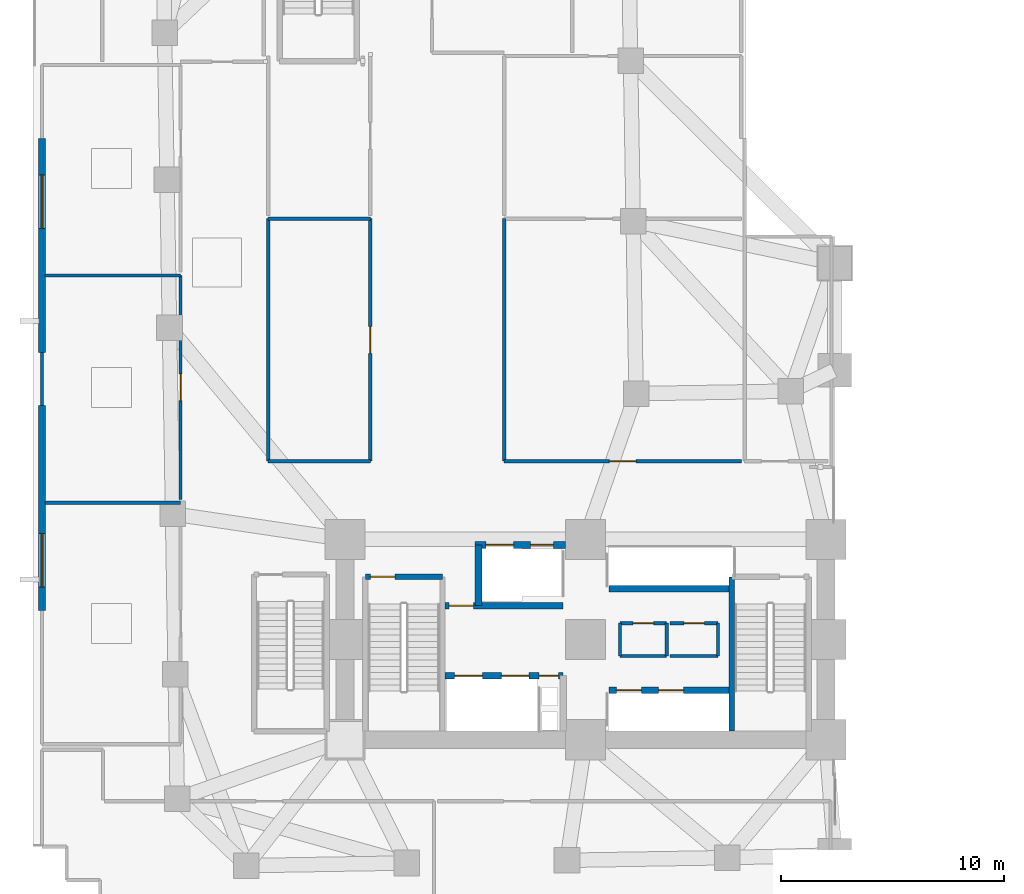
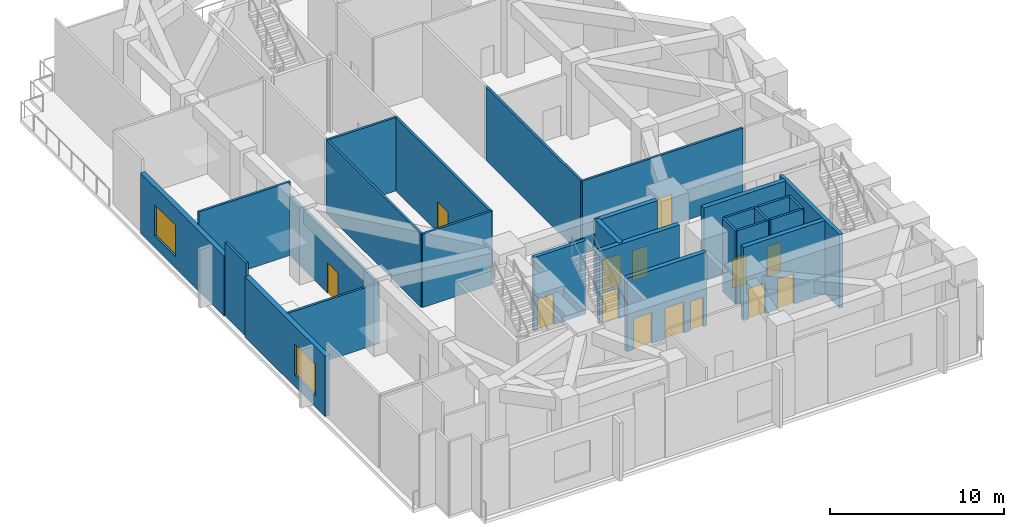
# One storey, part 8 of 18: 27 walls, 14 doors, 2 windows, 16 openings.
"""IFC4 building model written with IfcOpenShell, lengths in metres."""

import ifcopenshell
import ifcopenshell.guid

model = None  # the IFC model being written
_history = None  # IfcOwnerHistory: only IFC2X3 demands one
_inside = {}  # id of a spatial element -> (the spatial element, [elements in it])
_under = {}  # id of a project, library or spatial element -> (it, [spatial elements below it])
_declared = {}  # id of a project -> (the project, [libraries it declares])
_typed = {}  # id of a type object -> (the type object, [elements of that type])
_made_of = {}  # id of a material, layer set ... -> (it, [elements and type objects made of it])


def new_model(schema):
    """Start an empty IFC model of exactly this schema.

    Asked for "IFC4X3", IfcOpenShell would pick the latest addendum, in which some entities
    have other attributes; the version numbers below select the first issue.
    IFC2X3 requires an IfcOwnerHistory on every rooted entity: one is made here for all.
    """
    global model, _history
    if schema == "IFC4X3":
        model = ifcopenshell.file(schema_version=(4, 3, 0, 0))
    else:
        model = ifcopenshell.file(schema=schema)
    _inside.clear()
    _under.clear()
    _declared.clear()
    _typed.clear()
    _made_of.clear()
    _history = None
    if model.schema == "IFC2X3":
        org = make("IfcOrganization", Name="unknown")
        user = make(
            "IfcPersonAndOrganization",
            ThePerson=make("IfcPerson", FamilyName="unknown"),
            TheOrganization=org,
        )
        app = make(
            "IfcApplication",
            ApplicationDeveloper=org,
            Version="unknown",
            ApplicationFullName="unknown",
            ApplicationIdentifier="unknown",
        )
        _history = make(
            "IfcOwnerHistory",
            OwningUser=user,
            OwningApplication=app,
            ChangeAction="ADDED",
            CreationDate=0,
        )
    return model


def make(cls, **values):
    """One entity of the class cls with the attributes given. An attribute that is None is left unset."""
    return model.create_entity(
        cls, **{name: value for name, value in values.items() if value is not None}
    )


def rooted(cls, **values):
    """An entity with a GlobalId (a new one), such as an element, a storey or a relation."""
    return make(cls, GlobalId=ifcopenshell.guid.new(), OwnerHistory=_history, **values)


def si_unit(unit_type, name, prefix=None):
    """IfcSIUnit, for example si_unit("LENGTHUNIT", "METRE", prefix="MILLI")."""
    return make("IfcSIUnit", UnitType=unit_type, Prefix=prefix, Name=name)


def assignment(units):
    """IfcUnitAssignment: the units of a project."""
    return None if units is None else make("IfcUnitAssignment", Units=units)


def point(xyz):
    """IfcCartesianPoint."""
    return None if xyz is None else make("IfcCartesianPoint", Coordinates=xyz)


def direction(xyz):
    """IfcDirection."""
    return None if xyz is None else make("IfcDirection", DirectionRatios=xyz)


def frame(location, z_axis=None, x_axis=None):
    """IfcAxis2Placement3D, a coordinate frame: its origin and axes. An axis left out is left unset."""
    return make(
        "IfcAxis2Placement3D",
        Location=point(location),
        Axis=direction(z_axis),
        RefDirection=direction(x_axis),
    )


def frame_2d(location, x_axis=None):
    """IfcAxis2Placement2D, a coordinate frame in the plane: its origin and x axis."""
    return make(
        "IfcAxis2Placement2D", Location=point(location), RefDirection=direction(x_axis)
    )


def origin():
    """The frame at (0, 0, 0) with its axes left unset."""
    return frame((0.0, 0.0, 0.0))


def place(relative_to, where):
    """IfcLocalPlacement: puts the frame where relative to a parent placement (None: the world)."""
    return make(
        "IfcLocalPlacement", PlacementRelTo=relative_to, RelativePlacement=where
    )


def context(
    kind, dimensions, precision=None, world=None, true_north=None, identifier=None
):
    """IfcGeometricRepresentationContext, for example the 3D "Model" context."""
    return make(
        "IfcGeometricRepresentationContext",
        ContextIdentifier=identifier,
        ContextType=kind,
        CoordinateSpaceDimension=dimensions,
        Precision=precision,
        WorldCoordinateSystem=world,
        TrueNorth=true_north,
    )


def subcontext(parent, identifier, kind, view, scale=None):
    """IfcGeometricRepresentationSubContext, for example "Body" below "Model"."""
    return make(
        "IfcGeometricRepresentationSubContext",
        ContextIdentifier=identifier,
        ContextType=kind,
        ParentContext=parent,
        TargetScale=scale,
        TargetView=view,
    )


def project(units=None, contexts=None):
    """IfcProject with its units and contexts."""
    return rooted(
        "IfcProject",
        Name="project",
        RepresentationContexts=contexts,
        UnitsInContext=assignment(units),
    )


def spatial(cls, under=None, at=None, **own):
    """A site, building, storey or space (cls), placed at a placement, below another one or the project."""
    s = rooted(cls, ObjectPlacement=at, **own)
    if under is not None:
        _under.setdefault(under.id(), (under, []))[1].append(s)
    return s


def profile(cls, at=None, kind="AREA", **sizes):
    """A parametric profile (cls). Its sizes go by their IFC names, for example OverallWidth=200.0."""
    return make(cls, ProfileType=kind, Position=at, **sizes)


def rectangle(**sizes):
    """IfcRectangleProfileDef."""
    return profile("IfcRectangleProfileDef", **sizes)


def extrude(swept, where, along, depth):
    """IfcExtrudedAreaSolid: the profile swept, set in the frame where, extruded along a direction by depth."""
    return make(
        "IfcExtrudedAreaSolid",
        SweptArea=swept,
        Position=where,
        ExtrudedDirection=direction(along),
        Depth=depth,
    )


def shape(context_of_items, identifier, shape_type, items):
    """IfcShapeRepresentation: the items that make up one representation, for example the "Body"."""
    return make(
        "IfcShapeRepresentation",
        ContextOfItems=context_of_items,
        RepresentationIdentifier=identifier,
        RepresentationType=shape_type,
        Items=items,
    )


def material(Name=None, Category=None):
    """IfcMaterial."""
    return make("IfcMaterial", Name=Name, Category=Category)


def layer(
    of_material, thickness, ventilated=None, Name=None, Category=None, Priority=None
):
    """IfcMaterialLayer: one layer of a wall or slab, of a material (None: an air gap)."""
    return make(
        "IfcMaterialLayer",
        Material=of_material,
        LayerThickness=thickness,
        IsVentilated=ventilated,
        Name=Name,
        Category=Category,
        Priority=Priority,
    )


def layer_set(layers, Name=None):
    """IfcMaterialLayerSet."""
    return make("IfcMaterialLayerSet", MaterialLayers=layers, LayerSetName=Name)


def made_of(thing, what):
    """Note that an element or type object is made of a material, layer set ...; save() writes the relation."""
    if what is not None:
        _made_of.setdefault(what.id(), (what, []))[1].append(thing)
    return thing


def type_object(cls, material=None, **own):
    """A type object (cls), such as IfcWallType, which elements share."""
    return made_of(rooted(cls, **own), material)


def element(
    cls,
    number,
    at=None,
    inside=None,
    cuts=None,
    type_object=None,
    material=None,
    context=None,
    identifier="Body",
    shape_type=None,
    held_by="IfcProductDefinitionShape",
    body=None,
    shapes=None,
    **own,
):
    """One element of the class cls, such as IfcWall. Its Tag is "e" and its number.

    at: its placement. inside: the storey or other place that contains it. cuts: it is an
    opening in that element (IfcRelVoidsElement). A single representation is given by context,
    identifier, shape_type and body (its items); several are given by shapes. held_by: the class
    of the entity that holds the representations. save() writes the other relations.
    """
    e = rooted(cls, Tag="e%d" % number, ObjectPlacement=at, **own)
    if body is not None:
        shapes = [shape(context, identifier, shape_type, body)]
    if shapes is not None:
        e.Representation = make(held_by, Representations=shapes)
    if inside is not None:
        _inside.setdefault(inside.id(), (inside, []))[1].append(e)
    if cuts is not None:
        rooted(
            "IfcRelVoidsElement", RelatingBuildingElement=cuts, RelatedOpeningElement=e
        )
    if type_object is not None:
        _typed.setdefault(type_object.id(), (type_object, []))[1].append(e)
    return made_of(e, material)


def fill(opening, filler):
    """IfcRelFillsElement: the door or window that sits in an opening."""
    return rooted(
        "IfcRelFillsElement",
        RelatingOpeningElement=opening,
        RelatedBuildingElement=filler,
    )


def aggregate(whole, parts):
    """IfcRelAggregates: a whole, such as a stair, and the parts it consists of."""
    return rooted("IfcRelAggregates", RelatingObject=whole, RelatedObjects=parts)


def save(model, path):
    """Write the relations noted so far, then the file.

    IfcRelAggregates (storeys below a building ...), IfcRelContainedInSpatialStructure (elements
    in a storey), IfcRelDefinesByType, IfcRelAssociatesMaterial and IfcRelDeclares: one each for
    every whole, place, type object, material and project.
    """
    for whole, parts in _under.values():
        aggregate(whole, parts)
    for where, things in _inside.values():
        rooted(
            "IfcRelContainedInSpatialStructure",
            RelatedElements=things,
            RelatingStructure=where,
        )
    for kind, things in _typed.values():
        rooted("IfcRelDefinesByType", RelatedObjects=things, RelatingType=kind)
    for what, things in _made_of.values():
        rooted("IfcRelAssociatesMaterial", RelatedObjects=things, RelatingMaterial=what)
    for by, libraries in _declared.values():
        rooted("IfcRelDeclares", RelatingContext=by, RelatedDefinitions=libraries)
    model.write(path)


model = new_model("IFC4")

# Units and contexts
model_context = context("Model", 3, precision=1e-05, world=origin(), true_north=direction((0.0, 1.0)))
body_context = subcontext(model_context, "Body", "Model", "MODEL_VIEW")
ifc_project = project(units=[si_unit("LENGTHUNIT", "METRE"), si_unit("AREAUNIT", "SQUARE_METRE"), si_unit("VOLUMEUNIT", "CUBIC_METRE"), si_unit("PLANEANGLEUNIT", "RADIAN"), si_unit("MASSUNIT", "GRAM", prefix="KILO")], contexts=[model_context])

# Site, building, storey
site_placement = place(None, origin())
site = spatial("IfcSite", under=ifc_project, at=site_placement, CompositionType="ELEMENT")
building_placement = place(site_placement, origin())
building = spatial("IfcBuilding", under=site, at=building_placement, Name="Gaonmaruhae Medical Tower", CompositionType="ELEMENT")
storey_placement = place(building_placement, frame((0.0, 0.0, 10.800048828125)))
storey = spatial("IfcBuildingStorey", under=building, at=storey_placement, Name="L02", CompositionType="ELEMENT", Elevation=10.800048828125)

# Wall, opening, window
ifc_material_1 = material(Name="Precast concrete C45/55", Category="concrete")
ifc_layer_1 = layer(ifc_material_1, 0.320068359375)
ifc_layer_set_1 = layer_set([ifc_layer_1], Name="Precast concrete C45/55")
wall_type_1 = type_object("IfcWallType", Name="EW-320 Lower Precast Masonry-Frame Facade Wall", PredefinedType="SOLIDWALL", material=ifc_layer_set_1)
wall_1_placement = place(storey_placement, frame((0.39990234375, 13.60009765625, 0.0), z_axis=(0.0, 0.0, 1.0), x_axis=(0.0, 1.0, 0.0)))
wall_1 = element("IfcWall", 1, at=wall_1_placement, inside=storey, type_object=wall_type_1, Name="L02 Precast Facade Wall PB-W1", PredefinedType="SOLIDWALL", context=body_context, shape_type="SweptSolid", body=[
    extrude(rectangle(XDim=9.199951171875, YDim=0.320068359375, at=frame_2d((4.60009765625, 0.0))), origin(), (0.0, 0.0, 1.0), 4.22998046875),
])
opening_1_placement = place(wall_1_placement, frame((1.06005859375, 0.0, 0.800048828125)))
opening_1 = element("IfcOpeningElement", 2, at=opening_1_placement, cuts=wall_1, Name="Opening WN-06", PredefinedType="OPENING", context=body_context, shape_type="SweptSolid", body=[
    extrude(rectangle(XDim=2.39990234375, YDim=2.199951171875, at=frame_2d((1.199951171875, 1.10009765625))), frame((0.0, 0.169921875, 0.0), z_axis=(0.0, -1.0, 0.0), x_axis=(1.0, 0.0, 0.0)), (0.0, 0.0, 1.0), 0.340087890625),
])
ifc_material_2 = material(Name="Anodised aluminium and Low-E double glazing", Category="aluminium")
window_type = type_object("IfcWindowType", Name="WN-06 Podium Diagnostic Punched Window 2400x2200", PartitioningType="SINGLE_PANEL", PredefinedType="WINDOW", material=ifc_material_2)
window_1_placement = place(opening_1_placement, origin())
window_1 = element("IfcWindow", 3, at=window_1_placement, inside=storey, type_object=window_type, Name="L02 Podium Punched Window PB-W1", OverallHeight=2.199951171875, OverallWidth=2.39990234375, PartitioningType="SINGLE_PANEL", PredefinedType="WINDOW", context=body_context, shape_type="SweptSolid", body=[
    extrude(rectangle(XDim=2.39990234375, YDim=2.199951171875, at=frame_2d((1.199951171875, 1.10009765625))), frame((0.0, 0.030029296875, 0.0), z_axis=(0.0, -1.0, 0.0), x_axis=(1.0, 0.0, 0.0)), (0.0, 0.0, 1.0), 0.06005859375),
])
fill(opening_1, window_1)

wall_2_placement = place(storey_placement, frame((0.39990234375, 25.199951171875, 0.0), z_axis=(0.0, 0.0, 1.0), x_axis=(0.0, 1.0, 0.0)))
wall_2 = element("IfcWall", 4, at=wall_2_placement, inside=storey, type_object=wall_type_1, Name="L02 Precast Facade Wall PB-W2", PredefinedType="SOLIDWALL", context=body_context, shape_type="SweptSolid", body=[
    extrude(rectangle(XDim=9.60009765625, YDim=0.320068359375, at=frame_2d((4.800048828125, 0.0))), origin(), (0.0, 0.0, 1.0), 4.22998046875),
])
opening_2_placement = place(wall_2_placement, frame((5.56494140625, 0.0, 0.800048828125)))
opening_2 = element("IfcOpeningElement", 5, at=opening_2_placement, cuts=wall_2, Name="Opening WN-06", PredefinedType="OPENING", context=body_context, shape_type="SweptSolid", body=[
    extrude(rectangle(XDim=2.39990234375, YDim=2.199951171875, at=frame_2d((1.199951171875, 1.10009765625))), frame((0.0, 0.169921875, 0.0), z_axis=(0.0, -1.0, 0.0), x_axis=(1.0, 0.0, 0.0)), (0.0, 0.0, 1.0), 0.340087890625),
])
window_2_placement = place(opening_2_placement, origin())
window_2 = element("IfcWindow", 6, at=window_2_placement, inside=storey, type_object=window_type, Name="L02 Podium Punched Window PB-W2", OverallHeight=2.199951171875, OverallWidth=2.39990234375, PartitioningType="SINGLE_PANEL", PredefinedType="WINDOW", context=body_context, shape_type="SweptSolid", body=[
    extrude(rectangle(XDim=2.39990234375, YDim=2.199951171875, at=frame_2d((1.199951171875, 1.10009765625))), frame((0.0, 0.030029296875, 0.0), z_axis=(0.0, -1.0, 0.0), x_axis=(1.0, 0.0, 0.0)), (0.0, 0.0, 1.0), 0.06005859375),
])
fill(opening_2, window_2)

# Wall
ifc_material_3 = material(Name="Gypsum board partition", Category="gypsum")
ifc_layer_2 = layer(ifc_material_3, 0.14990234375)
ifc_layer_set_2 = layer_set([ifc_layer_2], Name="Gypsum board partition")
wall_type_2 = type_object("IfcWallType", Name="PW-150 Rated Clinical Corridor Partition", PredefinedType="PARTITIONING", material=ifc_layer_set_2)
wall_3_placement = place(storey_placement, frame((26.35009765625, 11.56005859375, 0.0), z_axis=(0.0, 0.0, 1.0), x_axis=(0.0, 1.0, 0.0)))
element("IfcWall", 7, at=wall_3_placement, inside=storey, type_object=wall_type_2, Name="L02 Interior Partition L02-CS1-1", PredefinedType="PARTITIONING", context=body_context, shape_type="SweptSolid", body=[
    extrude(rectangle(XDim=1.47998046875, YDim=0.14990234375, at=frame_2d((0.739990234375, 0.0))), origin(), (0.0, 0.0, 1.0), 5.14990234375),
])

# Wall, opening, door
wall_4_placement = place(storey_placement, frame((26.35009765625, 13.0400390625, 0.0), z_axis=(0.0, 0.0, 1.0), x_axis=(1.0, 0.0, 0.0)))
wall_4 = element("IfcWall", 8, at=wall_4_placement, inside=storey, type_object=wall_type_2, Name="L02 Interior Partition L02-CS1-2", PredefinedType="PARTITIONING", context=body_context, shape_type="SweptSolid", body=[
    extrude(rectangle(XDim=2.099853515625, YDim=0.14990234375, at=frame_2d((1.0498046875, 0.0))), origin(), (0.0, 0.0, 1.0), 5.14990234375),
])
opening_3_placement = place(wall_4_placement, frame((0.590087890625, 0.0, 0.0)))
opening_3 = element("IfcOpeningElement", 9, at=opening_3_placement, cuts=wall_4, Name="Opening UD-01", PredefinedType="OPENING", context=body_context, shape_type="SweptSolid", body=[
    extrude(rectangle(XDim=0.919921875, YDim=2.10009765625, at=frame_2d((0.4599609375, 1.050048828125))), frame((0.0, 0.0849609375, 0.0), z_axis=(0.0, -1.0, 0.0), x_axis=(1.0, 0.0, 0.0)), (0.0, 0.0, 1.0), 0.169921875),
])
ifc_material_4 = material(Name="Powder-coated steel utility door", Category="steel")
door_type_1 = type_object("IfcDoorType", Name="UD-01 Toilet, Utility & Housekeeping Door 920x2100", OperationType="NOTDEFINED", PredefinedType="DOOR", material=ifc_material_4)
door_1_placement = place(opening_3_placement, origin())
door_1 = element("IfcDoor", 10, at=door_1_placement, inside=storey, type_object=door_type_1, Name="L02 Accessible Staff Toilet Door", OperationType="SINGLE_SWING_RIGHT", OverallHeight=2.10009765625, OverallWidth=0.919921875, PredefinedType="DOOR", context=body_context, shape_type="SweptSolid", body=[
    extrude(rectangle(XDim=0.919921875, YDim=2.10009765625, at=frame_2d((0.4599609375, 1.050048828125))), frame((0.0, 0.02490234375, 0.0), z_axis=(0.0, -1.0, 0.0), x_axis=(1.0, 0.0, 0.0)), (0.0, 0.0, 1.0), 0.050048828125),
])
fill(opening_3, door_1)

# Walls
wall_5_placement = place(storey_placement, frame((28.449951171875, 13.0400390625, 0.0), z_axis=(0.0, 0.0, 1.0), x_axis=(0.0, -1.0, 0.0)))
element("IfcWall", 11, at=wall_5_placement, inside=storey, type_object=wall_type_2, Name="L02 Interior Partition L02-CS1-3", PredefinedType="PARTITIONING", context=body_context, shape_type="SweptSolid", body=[
    extrude(rectangle(XDim=1.47998046875, YDim=0.14990234375, at=frame_2d((0.739990234375, 0.0))), origin(), (0.0, 0.0, 1.0), 5.14990234375),
])
wall_6_placement = place(storey_placement, frame((28.449951171875, 11.56005859375, 0.0), z_axis=(0.0, 0.0, 1.0), x_axis=(-1.0, 0.0, 0.0)))
element("IfcWall", 12, at=wall_6_placement, inside=storey, type_object=wall_type_2, Name="L02 Interior Partition L02-CS1-4", PredefinedType="PARTITIONING", context=body_context, shape_type="SweptSolid", body=[
    extrude(rectangle(XDim=2.099853515625, YDim=0.14990234375, at=frame_2d((1.0498046875, 0.0))), origin(), (0.0, 0.0, 1.0), 5.14990234375),
])

# Wall, opening, door
wall_7_placement = place(storey_placement, frame((28.60009765625, 13.0400390625, 0.0), z_axis=(0.0, 0.0, 1.0), x_axis=(1.0, 0.0, 0.0)))
wall_7 = element("IfcWall", 13, at=wall_7_placement, inside=storey, type_object=wall_type_2, Name="L02 Interior Partition L02-CS2-5", PredefinedType="PARTITIONING", context=body_context, shape_type="SweptSolid", body=[
    extrude(rectangle(XDim=2.14990234375, YDim=0.14990234375, at=frame_2d((1.074951171875, 0.0))), origin(), (0.0, 0.0, 1.0), 5.14990234375),
])
opening_4_placement = place(wall_7_placement, frame((0.614990234375, 0.0, 0.0)))
opening_4 = element("IfcOpeningElement", 14, at=opening_4_placement, cuts=wall_7, Name="Opening UD-01", PredefinedType="OPENING", context=body_context, shape_type="SweptSolid", body=[
    extrude(rectangle(XDim=0.919921875, YDim=2.10009765625, at=frame_2d((0.4599609375, 1.050048828125))), frame((0.0, 0.0849609375, 0.0), z_axis=(0.0, -1.0, 0.0), x_axis=(1.0, 0.0, 0.0)), (0.0, 0.0, 1.0), 0.169921875),
])
door_2_placement = place(opening_4_placement, origin())
door_2 = element("IfcDoor", 15, at=door_2_placement, inside=storey, type_object=door_type_1, Name="L02 Biomedical Telemetry Closet Door", OperationType="SINGLE_SWING_RIGHT", OverallHeight=2.10009765625, OverallWidth=0.919921875, PredefinedType="DOOR", context=body_context, shape_type="SweptSolid", body=[
    extrude(rectangle(XDim=0.919921875, YDim=2.10009765625, at=frame_2d((0.4599609375, 1.050048828125))), frame((0.0, 0.02490234375, 0.0), z_axis=(0.0, -1.0, 0.0), x_axis=(1.0, 0.0, 0.0)), (0.0, 0.0, 1.0), 0.050048828125),
])
fill(opening_4, door_2)

# Walls
wall_8_placement = place(storey_placement, frame((30.75, 13.0400390625, 0.0), z_axis=(0.0, 0.0, 1.0), x_axis=(0.0, -1.0, 0.0)))
element("IfcWall", 16, at=wall_8_placement, inside=storey, type_object=wall_type_2, Name="L02 Interior Partition L02-CS2-6", PredefinedType="PARTITIONING", context=body_context, shape_type="SweptSolid", body=[
    extrude(rectangle(XDim=1.47998046875, YDim=0.14990234375, at=frame_2d((0.739990234375, 0.0))), origin(), (0.0, 0.0, 1.0), 5.14990234375),
])
wall_9_placement = place(storey_placement, frame((30.75, 11.56005859375, 0.0), z_axis=(0.0, 0.0, 1.0), x_axis=(-1.0, 0.0, 0.0)))
element("IfcWall", 17, at=wall_9_placement, inside=storey, type_object=wall_type_2, Name="L02 Interior Partition L02-CS2-7", PredefinedType="PARTITIONING", context=body_context, shape_type="SweptSolid", body=[
    extrude(rectangle(XDim=2.14990234375, YDim=0.14990234375, at=frame_2d((1.074951171875, 0.0))), origin(), (0.0, 0.0, 1.0), 5.14990234375),
])
wall_10_placement = place(storey_placement, frame((0.534912109375, 18.449951171875, 0.0), z_axis=(0.0, 0.0, 1.0), x_axis=(1.0, 0.0, 0.0)))
element("IfcWall", 18, at=wall_10_placement, inside=storey, type_object=wall_type_2, Name="L02 Interior Partition L02-WP1-8", PredefinedType="PARTITIONING", context=body_context, shape_type="SweptSolid", body=[
    extrude(rectangle(XDim=6.085205078125, YDim=0.14990234375, at=frame_2d((3.04248046875, 0.0))), origin(), (0.0, 0.0, 1.0), 4.23486328125),
])
wall_11_placement = place(storey_placement, frame((0.534912109375, 28.64990234375, 0.0), z_axis=(0.0, 0.0, 1.0), x_axis=(1.0, 0.0, 0.0)))
element("IfcWall", 19, at=wall_11_placement, inside=storey, type_object=wall_type_2, Name="L02 Interior Partition L02-WP2-12", PredefinedType="PARTITIONING", context=body_context, shape_type="SweptSolid", body=[
    extrude(rectangle(XDim=6.085205078125, YDim=0.14990234375, at=frame_2d((3.04248046875, 0.0))), origin(), (0.0, 0.0, 1.0), 5.14990234375),
])

# Wall, opening, door
wall_12_placement = place(storey_placement, frame((6.6201171875, 28.64990234375, 0.0), z_axis=(0.0, 0.0, 1.0), x_axis=(0.0, -1.0, 0.0)))
wall_12 = element("IfcWall", 20, at=wall_12_placement, inside=storey, type_object=wall_type_2, Name="L02 Interior Partition L02-WP2-13", PredefinedType="PARTITIONING", context=body_context, shape_type="SweptSolid", body=[
    extrude(rectangle(XDim=10.0498046875, YDim=0.14990234375, at=frame_2d((5.02490234375, 0.0))), origin(), (0.0, 0.0, 1.0), 4.23486328125),
])
opening_5_placement = place(wall_12_placement, frame((4.425048828125, 0.0, 0.0)))
opening_5 = element("IfcOpeningElement", 21, at=opening_5_placement, cuts=wall_12, Name="Opening CD-02", PredefinedType="OPENING", context=body_context, shape_type="SweptSolid", body=[
    extrude(rectangle(XDim=1.199951171875, YDim=2.14990234375, at=frame_2d((0.60009765625, 1.074951171875))), frame((0.0, 0.0849609375, 0.0), z_axis=(0.0, -1.0, 0.0), x_axis=(1.0, 0.0, 0.0)), (0.0, 0.0, 1.0), 0.169921875),
])
ifc_material_5 = material(Name="Antimicrobial laminate timber fire door", Category="wood")
door_type_2 = type_object("IfcDoorType", Name="CD-02 Clinical Treatment & Procedure Door 1200x2150", OperationType="NOTDEFINED", PredefinedType="DOOR", material=ifc_material_5)
door_3_placement = place(opening_5_placement, origin())
door_3 = element("IfcDoor", 22, at=door_3_placement, inside=storey, type_object=door_type_2, Name="L02 L02 Outpatient Consultation Clinic B Door", OperationType="SINGLE_SWING_LEFT", OverallHeight=2.14990234375, OverallWidth=1.199951171875, PredefinedType="DOOR", context=body_context, shape_type="SweptSolid", body=[
    extrude(rectangle(XDim=1.199951171875, YDim=2.14990234375, at=frame_2d((0.60009765625, 1.074951171875))), frame((0.0, 0.02490234375, 0.0), z_axis=(0.0, -1.0, 0.0), x_axis=(1.0, 0.0, 0.0)), (0.0, 0.0, 1.0), 0.050048828125),
])
fill(opening_5, door_3)

# Walls
wall_13_placement = place(storey_placement, frame((0.39990234375, 22.800048828125, 0.0), z_axis=(0.0, 0.0, 1.0), x_axis=(0.0, 1.0, 0.0)))
element("IfcWall", 23, at=wall_13_placement, inside=storey, type_object=wall_type_2, Name="L02 Interior Partition L02-WP2-14", PredefinedType="PARTITIONING", context=body_context, shape_type="SweptSolid", body=[
    extrude(rectangle(XDim=2.39990234375, YDim=0.14990234375, at=frame_2d((1.199951171875, 0.0))), origin(), (0.0, 0.0, 1.0), 5.14990234375),
])
wall_14_placement = place(storey_placement, frame((10.550048828125, 20.31005859375, 0.0), z_axis=(0.0, 0.0, 1.0), x_axis=(0.0, 1.0, 0.0)))
element("IfcWall", 24, at=wall_14_placement, inside=storey, type_object=wall_type_2, Name="L02 Interior Partition L02-D3-55", PredefinedType="PARTITIONING", context=body_context, shape_type="SweptSolid", body=[
    extrude(rectangle(XDim=10.889892578125, YDim=0.14990234375, at=frame_2d((5.44482421875, 0.0))), origin(), (0.0, 0.0, 1.0), 5.14990234375),
])
wall_15_placement = place(storey_placement, frame((10.550048828125, 31.199951171875, 0.0), z_axis=(0.0, 0.0, 1.0), x_axis=(1.0, 0.0, 0.0)))
element("IfcWall", 25, at=wall_15_placement, inside=storey, type_object=wall_type_2, Name="L02 Interior Partition L02-D3-56", PredefinedType="PARTITIONING", context=body_context, shape_type="SweptSolid", body=[
    extrude(rectangle(XDim=4.58984375, YDim=0.14990234375, at=frame_2d((2.294921875, 0.0))), origin(), (0.0, 0.0, 1.0), 5.14990234375),
])

# Wall, opening, door
wall_16_placement = place(storey_placement, frame((15.139892578125, 31.199951171875, 0.0), z_axis=(0.0, 0.0, 1.0), x_axis=(0.0, -1.0, 0.0)))
wall_16 = element("IfcWall", 26, at=wall_16_placement, inside=storey, type_object=wall_type_2, Name="L02 Interior Partition L02-D3-57", PredefinedType="PARTITIONING", context=body_context, shape_type="SweptSolid", body=[
    extrude(rectangle(XDim=10.889892578125, YDim=0.14990234375, at=frame_2d((5.44482421875, 0.0))), origin(), (0.0, 0.0, 1.0), 5.14990234375),
])
opening_6_placement = place(wall_16_placement, frame((4.844970703125, 0.0, 0.0)))
opening_6 = element("IfcOpeningElement", 27, at=opening_6_placement, cuts=wall_16, Name="Opening CD-02", PredefinedType="OPENING", context=body_context, shape_type="SweptSolid", body=[
    extrude(rectangle(XDim=1.199951171875, YDim=2.14990234375, at=frame_2d((0.60009765625, 1.074951171875))), frame((0.0, 0.0849609375, 0.0), z_axis=(0.0, -1.0, 0.0), x_axis=(1.0, 0.0, 0.0)), (0.0, 0.0, 1.0), 0.169921875),
])
door_4_placement = place(opening_6_placement, origin())
door_4 = element("IfcDoor", 28, at=door_4_placement, inside=storey, type_object=door_type_2, Name="L02 Specialist Consultation Room A Door", OperationType="SINGLE_SWING_LEFT", OverallHeight=2.14990234375, OverallWidth=1.199951171875, PredefinedType="DOOR", context=body_context, shape_type="SweptSolid", body=[
    extrude(rectangle(XDim=1.199951171875, YDim=2.14990234375, at=frame_2d((0.60009765625, 1.074951171875))), frame((0.0, 0.02490234375, 0.0), z_axis=(0.0, -1.0, 0.0), x_axis=(1.0, 0.0, 0.0)), (0.0, 0.0, 1.0), 0.050048828125),
])
fill(opening_6, door_4)

# Wall
wall_17_placement = place(storey_placement, frame((15.139892578125, 20.31005859375, 0.0), z_axis=(0.0, 0.0, 1.0), x_axis=(-1.0, 0.0, 0.0)))
element("IfcWall", 29, at=wall_17_placement, inside=storey, type_object=wall_type_2, Name="L02 Interior Partition L02-D3-58", PredefinedType="PARTITIONING", context=body_context, shape_type="SweptSolid", body=[
    extrude(rectangle(XDim=4.58984375, YDim=0.14990234375, at=frame_2d((2.294921875, 0.0))), origin(), (0.0, 0.0, 1.0), 5.14990234375),
])

# Wall, opening, door
wall_18_placement = place(storey_placement, frame((31.800048828125, 20.31005859375, 0.0), z_axis=(0.0, 0.0, 1.0), x_axis=(-1.0, 0.0, 0.0)))
wall_18 = element("IfcWall", 30, at=wall_18_placement, inside=storey, type_object=wall_type_2, Name="L02 Interior Partition L02-D4-60", PredefinedType="PARTITIONING", context=body_context, shape_type="SweptSolid", body=[
    extrude(rectangle(XDim=10.650146484375, YDim=0.14990234375, at=frame_2d((5.3251953125, 0.0))), origin(), (0.0, 0.0, 1.0), 5.14990234375),
])
opening_7_placement = place(wall_18_placement, frame((4.72509765625, 0.0, 0.0)))
opening_7 = element("IfcOpeningElement", 31, at=opening_7_placement, cuts=wall_18, Name="Opening CD-02", PredefinedType="OPENING", context=body_context, shape_type="SweptSolid", body=[
    extrude(rectangle(XDim=1.199951171875, YDim=2.14990234375, at=frame_2d((0.60009765625, 1.074951171875))), frame((0.0, 0.0849609375, 0.0), z_axis=(0.0, -1.0, 0.0), x_axis=(1.0, 0.0, 0.0)), (0.0, 0.0, 1.0), 0.169921875),
])
door_5_placement = place(opening_7_placement, origin())
door_5 = element("IfcDoor", 32, at=door_5_placement, inside=storey, type_object=door_type_2, Name="L02 Specialist Consultation Room B Door", OperationType="SINGLE_SWING_RIGHT", OverallHeight=2.14990234375, OverallWidth=1.199951171875, PredefinedType="DOOR", context=body_context, shape_type="SweptSolid", body=[
    extrude(rectangle(XDim=1.199951171875, YDim=2.14990234375, at=frame_2d((0.60009765625, 1.074951171875))), frame((0.0, 0.02490234375, 0.0), z_axis=(0.0, -1.0, 0.0), x_axis=(1.0, 0.0, 0.0)), (0.0, 0.0, 1.0), 0.050048828125),
])
fill(opening_7, door_5)

# Wall
wall_19_placement = place(storey_placement, frame((21.14990234375, 20.31005859375, 0.0), z_axis=(0.0, 0.0, 1.0), x_axis=(0.0, 1.0, 0.0)))
element("IfcWall", 33, at=wall_19_placement, inside=storey, type_object=wall_type_2, Name="L02 Interior Partition L02-D4-61", PredefinedType="PARTITIONING", context=body_context, shape_type="SweptSolid", body=[
    extrude(rectangle(XDim=10.889892578125, YDim=0.14990234375, at=frame_2d((5.44482421875, 0.0))), origin(), (0.0, 0.0, 1.0), 5.14990234375),
])

# Wall, opening, door
ifc_material_6 = material(Name="Concrete C50/60", Category="concrete")
ifc_layer_3 = layer(ifc_material_6, 0.239990234375)
ifc_layer_set_3 = layer_set([ifc_layer_3], Name="Concrete C50/60")
wall_type_3 = type_object("IfcWallType", Name="SW-240 Dogleg Stair Tight Shaft Wall", PredefinedType="SOLIDWALL", material=ifc_layer_set_3)
wall_20_placement = place(storey_placement, frame((14.919921875, 15.1201171875, 0.0), z_axis=(0.0, 0.0, 1.0), x_axis=(1.0, 0.0, 0.0)))
wall_20 = element("IfcWall", 34, at=wall_20_placement, inside=storey, type_object=wall_type_3, Name="L02 ST-01 Stair Shaft Wall SHW-ST-01-N", PredefinedType="SOLIDWALL", context=body_context, shape_type="SweptSolid", body=[
    extrude(rectangle(XDim=3.4599609375, YDim=0.239990234375, at=frame_2d((1.72998046875, 0.0))), origin(), (0.0, 0.0, 1.0), 5.14990234375),
])
opening_8_placement = place(wall_20_placement, frame((0.219970703125, 0.0, 0.0)))
opening_8 = element("IfcOpeningElement", 35, at=opening_8_placement, cuts=wall_20, Name="Opening FD-01", PredefinedType="OPENING", context=body_context, shape_type="SweptSolid", body=[
    extrude(rectangle(XDim=1.10009765625, YDim=2.14990234375, at=frame_2d((0.550048828125, 1.074951171875))), frame((0.0, 0.1298828125, 0.0), z_axis=(0.0, -1.0, 0.0), x_axis=(1.0, 0.0, 0.0)), (0.0, 0.0, 1.0), 0.260009765625),
])
ifc_material_7 = material(Name="Powder-coated steel fire door", Category="steel")
door_type_3 = type_object("IfcDoorType", Name="FD-01 Escape Stair Protected Fire Door 1100x2150", OperationType="NOTDEFINED", PredefinedType="DOOR", material=ifc_material_7)
door_6_placement = place(opening_8_placement, origin())
door_6 = element("IfcDoor", 36, at=door_6_placement, inside=storey, type_object=door_type_3, Name="L02 ST-01 Protected Escape Stair Door", OperationType="SINGLE_SWING_RIGHT", OverallHeight=2.14990234375, OverallWidth=1.10009765625, PredefinedType="DOOR", context=body_context, shape_type="SweptSolid", body=[
    extrude(rectangle(XDim=1.10009765625, YDim=2.14990234375, at=frame_2d((0.550048828125, 1.074951171875))), frame((0.0, 0.02490234375, 0.0), z_axis=(0.0, -1.0, 0.0), x_axis=(1.0, 0.0, 0.0)), (0.0, 0.0, 1.0), 0.050048828125),
])
fill(opening_8, door_6)

# Wall
wall_21_placement = place(storey_placement, frame((31.3701171875, 8.199951171875, 0.0), z_axis=(0.0, 0.0, 1.0), x_axis=(0.0, 1.0, 0.0)))
element("IfcWall", 37, at=wall_21_placement, inside=storey, type_object=wall_type_3, Name="L02 ST-02 Stair Shaft Wall SHW-ST-02-W", PredefinedType="SOLIDWALL", context=body_context, shape_type="SweptSolid", body=[
    extrude(rectangle(XDim=6.920166015625, YDim=0.239990234375, at=frame_2d((3.4599609375, 0.0))), origin(), (0.0, 0.0, 1.0), 5.14990234375),
])

# Wall, openings, doors
ifc_layer_4 = layer(ifc_material_6, 0.300048828125)
ifc_layer_set_4 = layer_set([ifc_layer_4], Name="Concrete C50/60")
wall_type_4 = type_object("IfcWallType", Name="SW-300 Stair & Lift Hoistway Shaft Wall", PredefinedType="SOLIDWALL", material=ifc_layer_set_4)
wall_22_placement = place(storey_placement, frame((19.85009765625, 16.550048828125, 0.0), z_axis=(0.0, 0.0, 1.0), x_axis=(1.0, 0.0, 0.0)))
wall_22 = element("IfcWall", 38, at=wall_22_placement, inside=storey, type_object=wall_type_4, Name="L02 Core Shear Wall CSW-NB", PredefinedType="SOLIDWALL", context=body_context, shape_type="SweptSolid", body=[
    extrude(rectangle(XDim=4.0498046875, YDim=0.300048828125, at=frame_2d((2.02490234375, 0.0))), origin(), (0.0, 0.0, 1.0), 5.14990234375),
])
opening_9_placement = place(wall_22_placement, frame((0.47509765625, 0.0, 0.0)))
opening_9 = element("IfcOpeningElement", 39, at=opening_9_placement, cuts=wall_22, Name="Opening LD-F1", PredefinedType="OPENING", context=body_context, shape_type="SweptSolid", body=[
    extrude(rectangle(XDim=1.25, YDim=2.179931640625, at=frame_2d((0.625, 1.08984375))), frame((0.0, 0.16015625, 0.0), z_axis=(0.0, -1.0, 0.0), x_axis=(1.0, 0.0, 0.0)), (0.0, 0.0, 1.0), 0.320068359375),
])
opening_10_placement = place(wall_22_placement, frame((2.489990234375, 0.0, 0.0)))
opening_10 = element("IfcOpeningElement", 40, at=opening_10_placement, cuts=wall_22, Name="Opening LD-S1", PredefinedType="OPENING", context=body_context, shape_type="SweptSolid", body=[
    extrude(rectangle(XDim=1.02001953125, YDim=2.1201171875, at=frame_2d((0.510009765625, 1.06005859375))), frame((0.0, 0.16015625, 0.0), z_axis=(0.0, -1.0, 0.0), x_axis=(1.0, 0.0, 0.0)), (0.0, 0.0, 1.0), 0.320068359375),
])
ifc_material_8 = material(Name="Brushed stainless steel 316L landing door", Category="steel")
door_type_4 = type_object("IfcDoorType", Name="LD-F1 Firefighting & Bed Lift Sliding Landing Door 1250x2180", OperationType="NOTDEFINED", PredefinedType="DOOR", material=ifc_material_8)
door_7_placement = place(opening_9_placement, origin())
door_7 = element("IfcDoor", 41, at=door_7_placement, inside=storey, type_object=door_type_4, Name="L02 Service/Bed Lift Landing Door BDL-01", OperationType="DOUBLE_DOOR_SLIDING", OverallHeight=2.179931640625, OverallWidth=1.25, PredefinedType="DOOR", context=body_context, shape_type="SweptSolid", body=[
    extrude(rectangle(XDim=1.25, YDim=2.179931640625, at=frame_2d((0.625, 1.08984375))), frame((0.0, 0.02490234375, 0.0), z_axis=(0.0, -1.0, 0.0), x_axis=(1.0, 0.0, 0.0)), (0.0, 0.0, 1.0), 0.050048828125),
])
fill(opening_9, door_7)
ifc_material_9 = material(Name="Brushed stainless steel 304 landing door", Category="steel")
door_type_5 = type_object("IfcDoorType", Name="LD-S1 Service Lift Sliding Landing Door 1020x2120", OperationType="NOTDEFINED", PredefinedType="DOOR", material=ifc_material_9)
door_8_placement = place(opening_10_placement, origin())
door_8 = element("IfcDoor", 42, at=door_8_placement, inside=storey, type_object=door_type_5, Name="L02 Service/Bed Lift Landing Door SVL-01", OperationType="SLIDING_TO_LEFT", OverallHeight=2.1201171875, OverallWidth=1.02001953125, PredefinedType="DOOR", context=body_context, shape_type="SweptSolid", body=[
    extrude(rectangle(XDim=1.02001953125, YDim=2.1201171875, at=frame_2d((0.510009765625, 1.06005859375))), frame((0.0, 0.02490234375, 0.0), z_axis=(0.0, -1.0, 0.0), x_axis=(1.0, 0.0, 0.0)), (0.0, 0.0, 1.0), 0.050048828125),
])
fill(opening_10, door_8)

wall_23_placement = place(storey_placement, frame((18.5, 10.679931640625, 0.0), z_axis=(0.0, 0.0, 1.0), x_axis=(1.0, 0.0, 0.0)))
wall_23 = element("IfcWall", 43, at=wall_23_placement, inside=storey, type_object=wall_type_4, Name="L02 Shaft Enclosure Wall SHW-FFN", PredefinedType="SOLIDWALL", context=body_context, shape_type="SweptSolid", body=[
    extrude(rectangle(XDim=5.300048828125, YDim=0.300048828125, at=frame_2d((2.64990234375, 0.0))), origin(), (0.0, 0.0, 1.0), 5.14990234375),
])
opening_11_placement = place(wall_23_placement, frame((4.219970703125, 0.0, 0.0)))
opening_11 = element("IfcOpeningElement", 44, at=opening_11_placement, cuts=wall_23, Name="Opening AD-01", PredefinedType="OPENING", context=body_context, shape_type="SweptSolid", body=[
    extrude(rectangle(XDim=0.860107421875, YDim=2.06005859375, at=frame_2d((0.43017578125, 1.030029296875))), frame((0.0, 0.16015625, 0.0), z_axis=(0.0, -1.0, 0.0), x_axis=(1.0, 0.0, 0.0)), (0.0, 0.0, 1.0), 0.320068359375),
])
opening_12_placement = place(wall_23_placement, frame((0.425048828125, 0.0, 0.0)))
opening_12 = element("IfcOpeningElement", 45, at=opening_12_placement, cuts=wall_23, Name="Opening LD-F1", PredefinedType="OPENING", context=body_context, shape_type="SweptSolid", body=[
    extrude(rectangle(XDim=1.25, YDim=2.179931640625, at=frame_2d((0.625, 1.08984375))), frame((0.0, 0.16015625, 0.0), z_axis=(0.0, -1.0, 0.0), x_axis=(1.0, 0.0, 0.0)), (0.0, 0.0, 1.0), 0.320068359375),
])
opening_13_placement = place(wall_23_placement, frame((2.52490234375, 0.0, 0.0)))
opening_13 = element("IfcOpeningElement", 46, at=opening_13_placement, cuts=wall_23, Name="Opening LD-F1", PredefinedType="OPENING", context=body_context, shape_type="SweptSolid", body=[
    extrude(rectangle(XDim=1.25, YDim=2.179931640625, at=frame_2d((0.625, 1.08984375))), frame((0.0, 0.16015625, 0.0), z_axis=(0.0, -1.0, 0.0), x_axis=(1.0, 0.0, 0.0)), (0.0, 0.0, 1.0), 0.320068359375),
])
ifc_material_10 = material(Name="Powder-coated steel access door", Category="steel")
door_type_6 = type_object("IfcDoorType", Name="AD-01 Riser & Closet Access Fire Door 860x2060", OperationType="NOTDEFINED", PredefinedType="DOOR", material=ifc_material_10)
door_9_placement = place(opening_11_placement, origin())
door_9 = element("IfcDoor", 47, at=door_9_placement, inside=storey, type_object=door_type_6, Name="L02 Medical Gas and MEP Riser Access Door", OperationType="SINGLE_SWING_RIGHT", OverallHeight=2.06005859375, OverallWidth=0.860107421875, PredefinedType="DOOR", context=body_context, shape_type="SweptSolid", body=[
    extrude(rectangle(XDim=0.860107421875, YDim=2.06005859375, at=frame_2d((0.43017578125, 1.030029296875))), frame((0.0, 0.02490234375, 0.0), z_axis=(0.0, -1.0, 0.0), x_axis=(1.0, 0.0, 0.0)), (0.0, 0.0, 1.0), 0.050048828125),
])
fill(opening_11, door_9)
door_10_placement = place(opening_12_placement, origin())
door_10 = element("IfcDoor", 48, at=door_10_placement, inside=storey, type_object=door_type_4, Name="L02 Firefighting Lift Landing Door FFL-01", OperationType="DOUBLE_DOOR_SLIDING", OverallHeight=2.179931640625, OverallWidth=1.25, PredefinedType="DOOR", context=body_context, shape_type="SweptSolid", body=[
    extrude(rectangle(XDim=1.25, YDim=2.179931640625, at=frame_2d((0.625, 1.08984375))), frame((0.0, 0.02490234375, 0.0), z_axis=(0.0, -1.0, 0.0), x_axis=(1.0, 0.0, 0.0)), (0.0, 0.0, 1.0), 0.050048828125),
])
fill(opening_12, door_10)
door_11_placement = place(opening_13_placement, origin())
door_11 = element("IfcDoor", 49, at=door_11_placement, inside=storey, type_object=door_type_4, Name="L02 Firefighting Lift Landing Door FFL-02", OperationType="DOUBLE_DOOR_SLIDING", OverallHeight=2.179931640625, OverallWidth=1.25, PredefinedType="DOOR", context=body_context, shape_type="SweptSolid", body=[
    extrude(rectangle(XDim=1.25, YDim=2.179931640625, at=frame_2d((0.625, 1.08984375))), frame((0.0, 0.02490234375, 0.0), z_axis=(0.0, -1.0, 0.0), x_axis=(1.0, 0.0, 0.0)), (0.0, 0.0, 1.0), 0.050048828125),
])
fill(opening_13, door_11)

# Wall, opening, door
wall_24_placement = place(storey_placement, frame((18.5, 13.820068359375, 0.0), z_axis=(0.0, 0.0, 1.0), x_axis=(1.0, 0.0, 0.0)))
wall_24 = element("IfcWall", 50, at=wall_24_placement, inside=storey, type_object=wall_type_4, Name="L02 Shaft Enclosure Wall SHW-FFL", PredefinedType="SOLIDWALL", context=body_context, shape_type="SweptSolid", body=[
    extrude(rectangle(XDim=5.300048828125, YDim=0.300048828125, at=frame_2d((2.64990234375, 0.0))), origin(), (0.0, 0.0, 1.0), 5.14990234375),
])
opening_14_placement = place(wall_24_placement, frame((0.179931640625, 0.0, 0.0)))
opening_14 = element("IfcOpeningElement", 51, at=opening_14_placement, cuts=wall_24, Name="Opening FD-01", PredefinedType="OPENING", context=body_context, shape_type="SweptSolid", body=[
    extrude(rectangle(XDim=1.10009765625, YDim=2.14990234375, at=frame_2d((0.550048828125, 1.074951171875))), frame((0.0, 0.16015625, 0.0), z_axis=(0.0, -1.0, 0.0), x_axis=(1.0, 0.0, 0.0)), (0.0, 0.0, 1.0), 0.320068359375),
])
door_12_placement = place(opening_14_placement, origin())
door_12 = element("IfcDoor", 52, at=door_12_placement, inside=storey, type_object=door_type_3, Name="L02 Firefighting Lobby Smoke Door", OperationType="SINGLE_SWING_LEFT", OverallHeight=2.14990234375, OverallWidth=1.10009765625, PredefinedType="DOOR", context=body_context, shape_type="SweptSolid", body=[
    extrude(rectangle(XDim=1.10009765625, YDim=2.14990234375, at=frame_2d((0.550048828125, 1.074951171875))), frame((0.0, 0.02490234375, 0.0), z_axis=(0.0, -1.0, 0.0), x_axis=(1.0, 0.0, 0.0)), (0.0, 0.0, 1.0), 0.050048828125),
])
fill(opening_14, door_12)

# Wall
wall_25_placement = place(storey_placement, frame((20.0, 13.820068359375, 0.0), z_axis=(0.0, 0.0, 1.0), x_axis=(0.0, 1.0, 0.0)))
element("IfcWall", 53, at=wall_25_placement, inside=storey, type_object=wall_type_4, Name="L02 Shaft Enclosure Wall SHW-BDW", PredefinedType="SOLIDWALL", context=body_context, shape_type="SweptSolid", body=[
    extrude(rectangle(XDim=2.72998046875, YDim=0.300048828125, at=frame_2d((1.364990234375, 0.0))), origin(), (0.0, 0.0, 1.0), 5.14990234375),
])

# Wall, openings, doors
wall_26_placement = place(storey_placement, frame((25.85009765625, 10.02001953125, 0.0), z_axis=(0.0, 0.0, 1.0), x_axis=(1.0, 0.0, 0.0)))
wall_26 = element("IfcWall", 54, at=wall_26_placement, inside=storey, type_object=wall_type_4, Name="L02 Shaft Enclosure Wall SHW-PLS", PredefinedType="SOLIDWALL", context=body_context, shape_type="SweptSolid", body=[
    extrude(rectangle(XDim=5.449951171875, YDim=0.300048828125, at=frame_2d((2.72509765625, 0.0))), origin(), (0.0, 0.0, 1.0), 5.14990234375),
])
opening_15_placement = place(wall_26_placement, frame((0.340087890625, 0.0, 0.0)))
opening_15 = element("IfcOpeningElement", 55, at=opening_15_placement, cuts=wall_26, Name="Opening LD-P1", PredefinedType="OPENING", context=body_context, shape_type="SweptSolid", body=[
    extrude(rectangle(XDim=1.1201171875, YDim=2.14990234375, at=frame_2d((0.56005859375, 1.074951171875))), frame((0.0, 0.16015625, 0.0), z_axis=(0.0, -1.0, 0.0), x_axis=(1.0, 0.0, 0.0)), (0.0, 0.0, 1.0), 0.320068359375),
])
opening_16_placement = place(wall_26_placement, frame((2.239990234375, 0.0, 0.0)))
opening_16 = element("IfcOpeningElement", 56, at=opening_16_placement, cuts=wall_26, Name="Opening LD-P1", PredefinedType="OPENING", context=body_context, shape_type="SweptSolid", body=[
    extrude(rectangle(XDim=1.1201171875, YDim=2.14990234375, at=frame_2d((0.56005859375, 1.074951171875))), frame((0.0, 0.16015625, 0.0), z_axis=(0.0, -1.0, 0.0), x_axis=(1.0, 0.0, 0.0)), (0.0, 0.0, 1.0), 0.320068359375),
])
door_type_7 = type_object("IfcDoorType", Name="LD-P1 Passenger Lift Sliding Landing Door 1120x2150", OperationType="NOTDEFINED", PredefinedType="DOOR", material=ifc_material_9)
door_13_placement = place(opening_15_placement, origin())
door_13 = element("IfcDoor", 57, at=door_13_placement, inside=storey, type_object=door_type_7, Name="L02 Passenger Lift Landing Door PL-L1", OperationType="DOUBLE_DOOR_SLIDING", OverallHeight=2.14990234375, OverallWidth=1.1201171875, PredefinedType="DOOR", context=body_context, shape_type="SweptSolid", body=[
    extrude(rectangle(XDim=1.1201171875, YDim=2.14990234375, at=frame_2d((0.56005859375, 1.074951171875))), frame((0.0, 0.02490234375, 0.0), z_axis=(0.0, -1.0, 0.0), x_axis=(1.0, 0.0, 0.0)), (0.0, 0.0, 1.0), 0.050048828125),
])
fill(opening_15, door_13)
door_14_placement = place(opening_16_placement, origin())
door_14 = element("IfcDoor", 58, at=door_14_placement, inside=storey, type_object=door_type_7, Name="L02 Passenger Lift Landing Door PL-L2", OperationType="DOUBLE_DOOR_SLIDING", OverallHeight=2.14990234375, OverallWidth=1.1201171875, PredefinedType="DOOR", context=body_context, shape_type="SweptSolid", body=[
    extrude(rectangle(XDim=1.1201171875, YDim=2.14990234375, at=frame_2d((0.56005859375, 1.074951171875))), frame((0.0, 0.02490234375, 0.0), z_axis=(0.0, -1.0, 0.0), x_axis=(1.0, 0.0, 0.0)), (0.0, 0.0, 1.0), 0.050048828125),
])
fill(opening_16, door_14)

# Wall
wall_27_placement = place(storey_placement, frame((25.85009765625, 14.580078125, 0.0), z_axis=(0.0, 0.0, 1.0), x_axis=(1.0, 0.0, 0.0)))
element("IfcWall", 59, at=wall_27_placement, inside=storey, type_object=wall_type_4, Name="L02 Shaft Enclosure Wall SHW-PLN", PredefinedType="SOLIDWALL", context=body_context, shape_type="SweptSolid", body=[
    extrude(rectangle(XDim=5.449951171875, YDim=0.300048828125, at=frame_2d((2.72509765625, 0.0))), origin(), (0.0, 0.0, 1.0), 5.14990234375),
])

save(model, "model.ifc")
